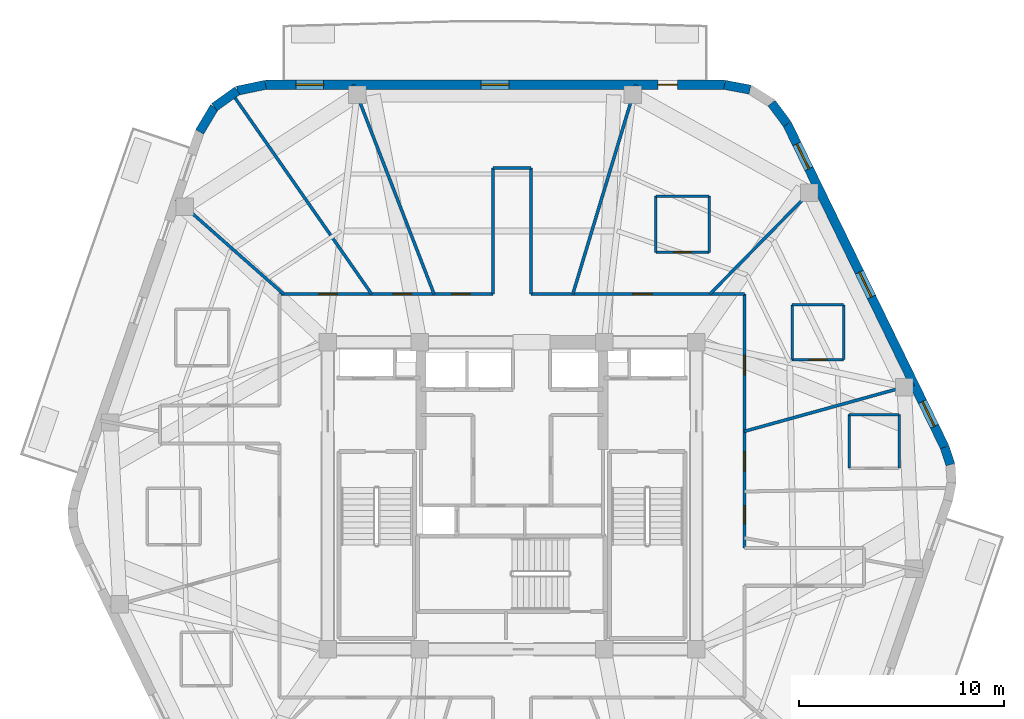
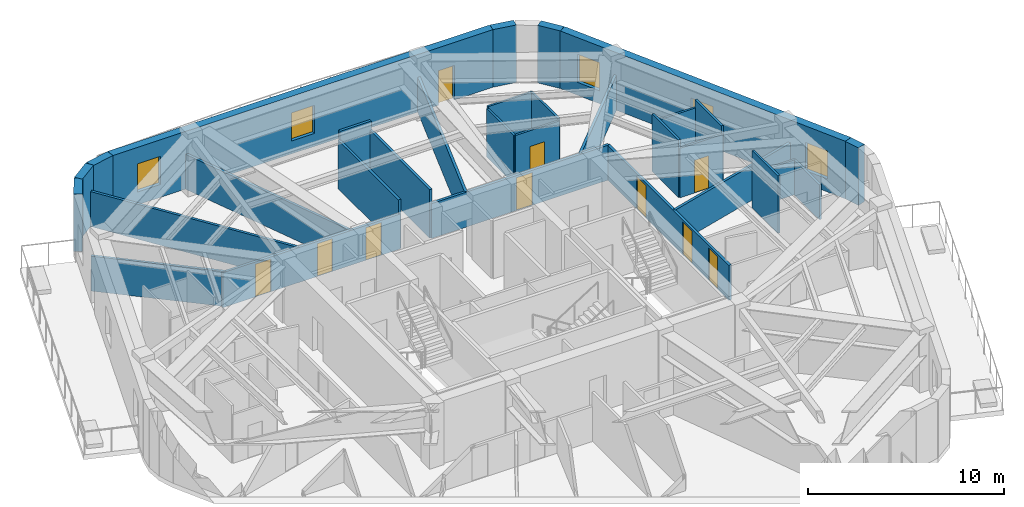
# One storey, part 6 of 9: 31 walls, 10 doors, 5 windows, 15 openings.
"""IFC4 building model written with IfcOpenShell, lengths in metres."""

from ifc_helpers import new_model, si_unit, direction, frame, frame_2d, origin, place, context, subcontext, project, spatial, rectangle, extrude, material, layer, layer_set, type_object, element, fill, save


model = new_model("IFC4")

# Units and contexts
model_context = context("Model", 3, precision=1e-05, world=origin(), true_north=direction((0.0, 1.0)))
body_context = subcontext(model_context, "Body", "Model", "MODEL_VIEW")
ifc_project = project(units=[si_unit("LENGTHUNIT", "METRE"), si_unit("AREAUNIT", "SQUARE_METRE"), si_unit("VOLUMEUNIT", "CUBIC_METRE"), si_unit("PLANEANGLEUNIT", "RADIAN"), si_unit("MASSUNIT", "GRAM", prefix="KILO")], contexts=[model_context])

# Site, building, storey
site_placement = place(None, origin())
site = spatial("IfcSite", under=ifc_project, at=site_placement, CompositionType="ELEMENT")
building_placement = place(site_placement, origin())
building = spatial("IfcBuilding", under=site, at=building_placement, Name="Kilnhurst Terrace Hotel", CompositionType="ELEMENT")
storey_placement = place(building_placement, frame((0.0, 0.0, 301.5)))
storey = spatial("IfcBuildingStorey", under=building, at=storey_placement, Name="L75", CompositionType="ELEMENT", Elevation=301.5)

# Walls
ifc_material_1 = material(Name="Precast concrete C40/50", Category="concrete")
ifc_layer_1 = layer(ifc_material_1, 0.449951171875, Name="Precast concrete C40/50")
ifc_layer_set_1 = layer_set([ifc_layer_1], Name="Precast concrete C40/50")
wall_type_1 = type_object("IfcWallType", Name="WL-BRK-450", PredefinedType="SOLIDWALL", material=ifc_layer_set_1)
wall_1_placement = place(storey_placement, frame((21.422119140625, 1.52197265625, 0.0), z_axis=(0.0, 0.0, 1.0), x_axis=(-0.316964162323, 0.94843751497, 0.0)))
element("IfcWall", 1, at=wall_1_placement, inside=storey, type_object=wall_type_1, Name="L75 Rounded Corner Brick Wall C3.3", PredefinedType="SOLIDWALL", context=body_context, shape_type="SweptSolid", body=[
    extrude(rectangle(XDim=0.89501953125, YDim=0.449951171875, at=frame_2d((0.447509765625, 0.0))), origin(), (0.0, 0.0, 1.0), 3.580078125),
])
wall_2_placement = place(storey_placement, frame((13.44287109375, 18.159912109375, 0.0), z_axis=(0.0, 0.0, 1.0), x_axis=(-0.597042425808, 0.802209661987, 0.0)))
element("IfcWall", 2, at=wall_2_placement, inside=storey, type_object=wall_type_1, Name="L75 Rounded Corner Brick Wall C4.1", PredefinedType="SOLIDWALL", context=body_context, shape_type="SweptSolid", body=[
    extrude(rectangle(XDim=1.269775390625, YDim=0.449951171875, at=frame_2d((0.634765625, 0.0))), origin(), (0.0, 0.0, 1.0), 3.580078125),
])
wall_3_placement = place(storey_placement, frame((11.62646484375, 19.83984375, 0.0), z_axis=(0.0, 0.0, 1.0), x_axis=(-0.982701956681, 0.185194126083, 0.0)))
element("IfcWall", 3, at=wall_3_placement, inside=storey, type_object=wall_type_1, Name="L75 Rounded Corner Brick Wall C4.3", PredefinedType="SOLIDWALL", context=body_context, shape_type="SweptSolid", body=[
    extrude(rectangle(XDim=1.26953125, YDim=0.449951171875, at=frame_2d((0.634765625, 0.0))), origin(), (0.0, 0.0, 1.0), 3.580078125),
])
wall_4_placement = place(storey_placement, frame((-12.038330078125, 20.074951171875, 0.0), z_axis=(0.0, 0.0, 1.0), x_axis=(-0.978750122553, -0.205056571711, 0.0)))
element("IfcWall", 4, at=wall_4_placement, inside=storey, type_object=wall_type_1, Name="L75 Rounded Corner Brick Wall C5.1", PredefinedType="SOLIDWALL", context=body_context, shape_type="SweptSolid", body=[
    extrude(rectangle(XDim=1.406005859375, YDim=0.449951171875, at=frame_2d((0.703125, 0.0))), origin(), (0.0, 0.0, 1.0), 3.580078125),
])
wall_5_placement = place(storey_placement, frame((-13.41455078125, 19.78662109375, 0.0), z_axis=(0.0, 0.0, 1.0), x_axis=(-0.814055493997, -0.580787097561, 0.0)))
element("IfcWall", 5, at=wall_5_placement, inside=storey, type_object=wall_type_1, Name="L75 Rounded Corner Brick Wall C5.2", PredefinedType="SOLIDWALL", context=body_context, shape_type="SweptSolid", body=[
    extrude(rectangle(XDim=1.382568359375, YDim=0.449951171875, at=frame_2d((0.69140625, 0.0))), origin(), (0.0, 0.0, 1.0), 3.580078125),
])
wall_6_placement = place(storey_placement, frame((-14.5400390625, 18.983642578125, 0.0), z_axis=(0.0, 0.0, 1.0), x_axis=(-0.512374906623, -0.858761873317, 0.0)))
element("IfcWall", 6, at=wall_6_placement, inside=storey, type_object=wall_type_1, Name="L75 Rounded Corner Brick Wall C5.3", PredefinedType="SOLIDWALL", context=body_context, shape_type="SweptSolid", body=[
    extrude(rectangle(XDim=1.406005859375, YDim=0.449951171875, at=frame_2d((0.703125, 0.0))), origin(), (0.0, 0.0, 1.0), 3.580078125),
])

# Wall, openings, windows
wall_7_placement = place(storey_placement, frame((21.138427734375, 2.370849609375, 0.0), z_axis=(0.0, 0.0, 1.0), x_axis=(-0.438128124058, 0.89891253574, 0.0)))
wall_7 = element("IfcWall", 7, at=wall_7_placement, inside=storey, type_object=wall_type_1, Name="L75 Exterior Brick Facade Wall F3", PredefinedType="SOLIDWALL", context=body_context, shape_type="SweptSolid", body=[
    extrude(rectangle(XDim=17.564697265625, YDim=0.449951171875, at=frame_2d((8.7822265625, 0.0))), origin(), (0.0, 0.0, 1.0), 3.580078125),
])
opening_1_placement = place(wall_7_placement, frame((1.133056640625, 0.0, 0.800048828125)))
opening_1 = element("IfcOpeningElement", 8, at=opening_1_placement, cuts=wall_7, Name="Opening W-06", PredefinedType="OPENING", context=body_context, shape_type="SweptSolid", body=[
    extrude(rectangle(XDim=1.35009765625, YDim=1.75, at=frame_2d((0.675048828125, 0.875))), frame((0.0, 0.23486328125, 0.0), z_axis=(0.0, -1.0, 0.0), x_axis=(1.0, 0.0, 0.0)), (0.0, 0.0, 1.0), 0.469970703125),
])
opening_2_placement = place(wall_7_placement, frame((8.157958984375, 0.0, 0.800048828125)))
opening_2 = element("IfcOpeningElement", 9, at=opening_2_placement, cuts=wall_7, Name="Opening W-06", PredefinedType="OPENING", context=body_context, shape_type="SweptSolid", body=[
    extrude(rectangle(XDim=1.35009765625, YDim=1.75, at=frame_2d((0.675048828125, 0.875))), frame((0.0, 0.23486328125, 0.0), z_axis=(0.0, -1.0, 0.0), x_axis=(1.0, 0.0, 0.0)), (0.0, 0.0, 1.0), 0.469970703125),
])
opening_3_placement = place(wall_7_placement, frame((15.132080078125, 0.0, 0.800048828125)))
opening_3 = element("IfcOpeningElement", 10, at=opening_3_placement, cuts=wall_7, Name="Opening W-06", PredefinedType="OPENING", context=body_context, shape_type="SweptSolid", body=[
    extrude(rectangle(XDim=1.35009765625, YDim=1.75, at=frame_2d((0.675048828125, 0.875))), frame((0.0, 0.23486328125, 0.0), z_axis=(0.0, -1.0, 0.0), x_axis=(1.0, 0.0, 0.0)), (0.0, 0.0, 1.0), 0.469970703125),
])
ifc_material_2 = material(Name="Thermally Broken Bronze Aluminium Alloy 6063-T6 and Low-E Glass", Category="aluminium")
window_type = type_object("IfcWindowType", Name="WIN-1350X1750", PartitioningType="SINGLE_PANEL", PredefinedType="WINDOW", material=ifc_material_2)
window_1_placement = place(opening_1_placement, origin())
window_1 = element("IfcWindow", 11, at=window_1_placement, inside=storey, type_object=window_type, Name="L75 Deep-Set Masonry Window F3.1", OverallHeight=1.75, OverallWidth=1.35009765625, PartitioningType="SINGLE_PANEL", PredefinedType="WINDOW", context=body_context, shape_type="SweptSolid", body=[
    extrude(rectangle(XDim=1.35009765625, YDim=1.75, at=frame_2d((0.675048828125, 0.875))), frame((0.0, 0.030029296875, 0.0), z_axis=(0.0, -1.0, 0.0), x_axis=(1.0, 0.0, 0.0)), (0.0, 0.0, 1.0), 0.06005859375),
])
fill(opening_1, window_1)
window_2_placement = place(opening_2_placement, origin())
window_2 = element("IfcWindow", 12, at=window_2_placement, inside=storey, type_object=window_type, Name="L75 Deep-Set Masonry Window F3.2", OverallHeight=1.75, OverallWidth=1.35009765625, PartitioningType="SINGLE_PANEL", PredefinedType="WINDOW", context=body_context, shape_type="SweptSolid", body=[
    extrude(rectangle(XDim=1.35009765625, YDim=1.75, at=frame_2d((0.675048828125, 0.875))), frame((0.0, 0.030029296875, 0.0), z_axis=(0.0, -1.0, 0.0), x_axis=(1.0, 0.0, 0.0)), (0.0, 0.0, 1.0), 0.06005859375),
])
fill(opening_2, window_2)
window_3_placement = place(opening_3_placement, origin())
window_3 = element("IfcWindow", 13, at=window_3_placement, inside=storey, type_object=window_type, Name="L75 Deep-Set Masonry Window F3.3", OverallHeight=1.75, OverallWidth=1.35009765625, PartitioningType="SINGLE_PANEL", PredefinedType="WINDOW", context=body_context, shape_type="SweptSolid", body=[
    extrude(rectangle(XDim=1.35009765625, YDim=1.75, at=frame_2d((0.675048828125, 0.875))), frame((0.0, 0.030029296875, 0.0), z_axis=(0.0, -1.0, 0.0), x_axis=(1.0, 0.0, 0.0)), (0.0, 0.0, 1.0), 0.06005859375),
])
fill(opening_3, window_3)

# Wall, openings, door, windows
wall_8_placement = place(storey_placement, frame((10.37890625, 20.074951171875, 0.0), z_axis=(0.0, 0.0, 1.0), x_axis=(-1.0, 0.0, 0.0)))
wall_8 = element("IfcWall", 14, at=wall_8_placement, inside=storey, type_object=wall_type_1, Name="L75 Exterior Brick Facade Wall F4", PredefinedType="SOLIDWALL", context=body_context, shape_type="SweptSolid", body=[
    extrude(rectangle(XDim=22.417236328125, YDim=0.449951171875, at=frame_2d((11.20849609375, 0.0))), origin(), (0.0, 0.0, 1.0), 3.580078125),
])
opening_4_placement = place(wall_8_placement, frame((2.302001953125, 0.0, 0.0)))
opening_4 = element("IfcOpeningElement", 15, at=opening_4_placement, cuts=wall_8, Name="Opening BD-950", PredefinedType="OPENING", context=body_context, shape_type="SweptSolid", body=[
    extrude(rectangle(XDim=0.949951171875, YDim=2.14990234375, at=frame_2d((0.47509765625, 1.074951171875))), frame((0.0, 0.23486328125, 0.0), z_axis=(0.0, -1.0, 0.0), x_axis=(1.0, 0.0, 0.0)), (0.0, 0.0, 1.0), 0.469970703125),
])
opening_5_placement = place(wall_8_placement, frame((10.533935546875, 0.0, 0.800048828125)))
opening_5 = element("IfcOpeningElement", 16, at=opening_5_placement, cuts=wall_8, Name="Opening W-06", PredefinedType="OPENING", context=body_context, shape_type="SweptSolid", body=[
    extrude(rectangle(XDim=1.35009765625, YDim=1.75, at=frame_2d((0.675048828125, 0.875))), frame((0.0, 0.23486328125, 0.0), z_axis=(0.0, -1.0, 0.0), x_axis=(1.0, 0.0, 0.0)), (0.0, 0.0, 1.0), 0.469970703125),
])
opening_6_placement = place(wall_8_placement, frame((19.5869140625, 0.0, 0.800048828125)))
opening_6 = element("IfcOpeningElement", 17, at=opening_6_placement, cuts=wall_8, Name="Opening W-06", PredefinedType="OPENING", context=body_context, shape_type="SweptSolid", body=[
    extrude(rectangle(XDim=1.35009765625, YDim=1.75, at=frame_2d((0.675048828125, 0.875))), frame((0.0, 0.23486328125, 0.0), z_axis=(0.0, -1.0, 0.0), x_axis=(1.0, 0.0, 0.0)), (0.0, 0.0, 1.0), 0.469970703125),
])
ifc_material_3 = material(Name="Thermally Broken Bronze Aluminium Alloy 6063-T6 and Laminated Glass", Category="aluminium")
door_type_1 = type_object("IfcDoorType", Name="DR-EXT-BAL-950", OperationType="NOTDEFINED", PredefinedType="DOOR", material=ifc_material_3)
door_1_placement = place(opening_4_placement, origin())
door_1 = element("IfcDoor", 18, at=door_1_placement, inside=storey, type_object=door_type_1, Name="L75 Planted Balcony Door BAL-L2A", OperationType="SINGLE_SWING_RIGHT", OverallHeight=2.14990234375, OverallWidth=0.949951171875, PredefinedType="DOOR", context=body_context, shape_type="SweptSolid", body=[
    extrude(rectangle(XDim=0.949951171875, YDim=2.14990234375, at=frame_2d((0.47509765625, 1.074951171875))), frame((0.0, 0.02490234375, 0.0), z_axis=(0.0, -1.0, 0.0), x_axis=(1.0, 0.0, 0.0)), (0.0, 0.0, 1.0), 0.050048828125),
])
fill(opening_4, door_1)
window_4_placement = place(opening_5_placement, origin())
window_4 = element("IfcWindow", 19, at=window_4_placement, inside=storey, type_object=window_type, Name="L75 Deep-Set Masonry Window F4.1", OverallHeight=1.75, OverallWidth=1.35009765625, PartitioningType="SINGLE_PANEL", PredefinedType="WINDOW", context=body_context, shape_type="SweptSolid", body=[
    extrude(rectangle(XDim=1.35009765625, YDim=1.75, at=frame_2d((0.675048828125, 0.875))), frame((0.0, 0.030029296875, 0.0), z_axis=(0.0, -1.0, 0.0), x_axis=(1.0, 0.0, 0.0)), (0.0, 0.0, 1.0), 0.06005859375),
])
fill(opening_5, window_4)
window_5_placement = place(opening_6_placement, origin())
window_5 = element("IfcWindow", 20, at=window_5_placement, inside=storey, type_object=window_type, Name="L75 Deep-Set Masonry Window F4.2", OverallHeight=1.75, OverallWidth=1.35009765625, PartitioningType="SINGLE_PANEL", PredefinedType="WINDOW", context=body_context, shape_type="SweptSolid", body=[
    extrude(rectangle(XDim=1.35009765625, YDim=1.75, at=frame_2d((0.675048828125, 0.875))), frame((0.0, 0.030029296875, 0.0), z_axis=(0.0, -1.0, 0.0), x_axis=(1.0, 0.0, 0.0)), (0.0, 0.0, 1.0), 0.06005859375),
])
fill(opening_6, window_5)

# Wall, openings, doors
ifc_material_4 = material(Name="Acoustic Double-Gypsum Corridor Partition Assembly")
ifc_layer_2 = layer(ifc_material_4, 0.14990234375, Name="Acoustic Double-Gypsum Corridor Partition Assembly")
ifc_layer_set_2 = layer_set([ifc_layer_2], Name="Acoustic Double-Gypsum Corridor Partition Assembly")
wall_type_2 = type_object("IfcWallType", Name="WL-COR-150", PredefinedType="PARTITIONING", material=ifc_layer_set_2)
wall_9_placement = place(storey_placement, frame((-11.35009765625, 9.85009765625, 0.0), z_axis=(0.0, 0.0, 1.0), x_axis=(1.0, 0.0, 0.0)))
wall_9 = element("IfcWall", 21, at=wall_9_placement, inside=storey, type_object=wall_type_2, Name="L75 Interior Wall WL-L75-COR-06", PredefinedType="PARTITIONING", context=body_context, shape_type="SweptSolid", body=[
    extrude(rectangle(XDim=10.43017578125, YDim=0.14990234375, at=frame_2d((5.215087890625, 0.0))), origin(), (0.0, 0.0, 1.0), 2.169921875),
])
opening_7_placement = place(wall_9_placement, frame((8.406982421875, 0.0, 0.0)))
opening_7 = element("IfcOpeningElement", 22, at=opening_7_placement, cuts=wall_9, Name="Opening D-60C", PredefinedType="OPENING", context=body_context, shape_type="SweptSolid", body=[
    extrude(rectangle(XDim=0.89990234375, YDim=2.030029296875, at=frame_2d((0.449951171875, 1.01513671875))), frame((0.0, 0.0849609375, 0.0), z_axis=(0.0, -1.0, 0.0), x_axis=(1.0, 0.0, 0.0)), (0.0, 0.0, 1.0), 0.169921875),
])
opening_8_placement = place(wall_9_placement, frame((5.541015625, 0.0, 0.0)))
opening_8 = element("IfcOpeningElement", 23, at=opening_8_placement, cuts=wall_9, Name="Opening D-60C", PredefinedType="OPENING", context=body_context, shape_type="SweptSolid", body=[
    extrude(rectangle(XDim=0.89990234375, YDim=2.030029296875, at=frame_2d((0.449951171875, 1.01513671875))), frame((0.0, 0.0849609375, 0.0), z_axis=(0.0, -1.0, 0.0), x_axis=(1.0, 0.0, 0.0)), (0.0, 0.0, 1.0), 0.169921875),
])
opening_9_placement = place(wall_9_placement, frame((1.916015625, 0.0, 0.0)))
opening_9 = element("IfcOpeningElement", 24, at=opening_9_placement, cuts=wall_9, Name="Opening D-60C", PredefinedType="OPENING", context=body_context, shape_type="SweptSolid", body=[
    extrude(rectangle(XDim=0.89990234375, YDim=2.030029296875, at=frame_2d((0.449951171875, 1.01513671875))), frame((0.0, 0.0849609375, 0.0), z_axis=(0.0, -1.0, 0.0), x_axis=(1.0, 0.0, 0.0)), (0.0, 0.0, 1.0), 0.169921875),
])
ifc_material_5 = material(Name="Painted Solid-Core Service Fire Door")
door_type_2 = type_object("IfcDoorType", Name="DR-FD60-900", OperationType="NOTDEFINED", PredefinedType="DOOR", material=ifc_material_5)
door_2_placement = place(opening_7_placement, origin())
door_2 = element("IfcDoor", 25, at=door_2_placement, inside=storey, type_object=door_type_2, Name="L75 Executive Work Office Door 4", OperationType="SINGLE_SWING_RIGHT", OverallHeight=2.030029296875, OverallWidth=0.89990234375, PredefinedType="DOOR", context=body_context, shape_type="SweptSolid", body=[
    extrude(rectangle(XDim=0.89990234375, YDim=2.030029296875, at=frame_2d((0.449951171875, 1.01513671875))), frame((0.0, 0.02490234375, 0.0), z_axis=(0.0, -1.0, 0.0), x_axis=(1.0, 0.0, 0.0)), (0.0, 0.0, 1.0), 0.050048828125),
])
fill(opening_7, door_2)
door_3_placement = place(opening_8_placement, origin())
door_3 = element("IfcDoor", 26, at=door_3_placement, inside=storey, type_object=door_type_2, Name="L75 Executive Work Office Door 5", OperationType="SINGLE_SWING_LEFT", OverallHeight=2.030029296875, OverallWidth=0.89990234375, PredefinedType="DOOR", context=body_context, shape_type="SweptSolid", body=[
    extrude(rectangle(XDim=0.89990234375, YDim=2.030029296875, at=frame_2d((0.449951171875, 1.01513671875))), frame((0.0, 0.02490234375, 0.0), z_axis=(0.0, -1.0, 0.0), x_axis=(1.0, 0.0, 0.0)), (0.0, 0.0, 1.0), 0.050048828125),
])
fill(opening_8, door_3)
door_4_placement = place(opening_9_placement, origin())
door_4 = element("IfcDoor", 27, at=door_4_placement, inside=storey, type_object=door_type_2, Name="L75 Botanical Reading Lounge Door 6", OperationType="SINGLE_SWING_RIGHT", OverallHeight=2.030029296875, OverallWidth=0.89990234375, PredefinedType="DOOR", context=body_context, shape_type="SweptSolid", body=[
    extrude(rectangle(XDim=0.89990234375, YDim=2.030029296875, at=frame_2d((0.449951171875, 1.01513671875))), frame((0.0, 0.02490234375, 0.0), z_axis=(0.0, -1.0, 0.0), x_axis=(1.0, 0.0, 0.0)), (0.0, 0.0, 1.0), 0.050048828125),
])
fill(opening_9, door_4)

# Walls
wall_10_placement = place(storey_placement, frame((-0.919921875, 9.85009765625, 0.0), z_axis=(0.0, 0.0, 1.0), x_axis=(0.0, 1.0, 0.0)))
element("IfcWall", 28, at=wall_10_placement, inside=storey, type_object=wall_type_2, Name="L75 Interior Wall WL-L75-COR-07", PredefinedType="PARTITIONING", context=body_context, shape_type="SweptSolid", body=[
    extrude(rectangle(XDim=6.14990234375, YDim=0.14990234375, at=frame_2d((3.074951171875, 0.0))), origin(), (0.0, 0.0, 1.0), 3.0205078125),
])
wall_11_placement = place(storey_placement, frame((-0.919921875, 16.0, 0.0), z_axis=(0.0, 0.0, 1.0), x_axis=(1.0, 0.0, 0.0)))
element("IfcWall", 29, at=wall_11_placement, inside=storey, type_object=wall_type_2, Name="L75 Interior Wall WL-L75-COR-08", PredefinedType="PARTITIONING", context=body_context, shape_type="SweptSolid", body=[
    extrude(rectangle(XDim=1.83984375, YDim=0.14990234375, at=frame_2d((0.919921875, 0.0))), origin(), (0.0, 0.0, 1.0), 3.580078125),
])
wall_12_placement = place(storey_placement, frame((0.919921875, 16.0, 0.0), z_axis=(0.0, 0.0, 1.0), x_axis=(0.0, -1.0, 0.0)))
element("IfcWall", 30, at=wall_12_placement, inside=storey, type_object=wall_type_2, Name="L75 Interior Wall WL-L75-COR-09", PredefinedType="PARTITIONING", context=body_context, shape_type="SweptSolid", body=[
    extrude(rectangle(XDim=6.14990234375, YDim=0.14990234375, at=frame_2d((3.074951171875, 0.0))), origin(), (0.0, 0.0, 1.0), 3.0205078125),
])

# Wall, opening, door
wall_13_placement = place(storey_placement, frame((0.919921875, 9.85009765625, 0.0), z_axis=(0.0, 0.0, 1.0), x_axis=(1.0, 0.0, 0.0)))
wall_13 = element("IfcWall", 31, at=wall_13_placement, inside=storey, type_object=wall_type_2, Name="L75 Interior Wall WL-L75-COR-10", PredefinedType="PARTITIONING", context=body_context, shape_type="SweptSolid", body=[
    extrude(rectangle(XDim=10.43017578125, YDim=0.14990234375, at=frame_2d((5.215087890625, 0.0))), origin(), (0.0, 0.0, 1.0), 2.169921875),
])
opening_10_placement = place(wall_13_placement, frame((4.97509765625, 0.0, 0.0)))
opening_10 = element("IfcOpeningElement", 32, at=opening_10_placement, cuts=wall_13, Name="Opening D-60B", PredefinedType="OPENING", context=body_context, shape_type="SweptSolid", body=[
    extrude(rectangle(XDim=0.949951171875, YDim=2.030029296875, at=frame_2d((0.47509765625, 1.01513671875))), frame((0.0, 0.0849609375, 0.0), z_axis=(0.0, -1.0, 0.0), x_axis=(1.0, 0.0, 0.0)), (0.0, 0.0, 1.0), 0.169921875),
])
ifc_material_6 = material(Name="Acoustic Walnut Veneer Solid-Core Fire Door")
door_type_3 = type_object("IfcDoorType", Name="DR-FD60-950", OperationType="NOTDEFINED", PredefinedType="DOOR", material=ifc_material_6)
door_5_placement = place(opening_10_placement, origin())
door_5 = element("IfcDoor", 33, at=door_5_placement, inside=storey, type_object=door_type_3, Name="L75 Executive Suite Entry Door 3", OperationType="SINGLE_SWING_LEFT", OverallHeight=2.030029296875, OverallWidth=0.949951171875, PredefinedType="DOOR", context=body_context, shape_type="SweptSolid", body=[
    extrude(rectangle(XDim=0.949951171875, YDim=2.030029296875, at=frame_2d((0.47509765625, 1.01513671875))), frame((0.0, 0.02490234375, 0.0), z_axis=(0.0, -1.0, 0.0), x_axis=(1.0, 0.0, 0.0)), (0.0, 0.0, 1.0), 0.050048828125),
])
fill(opening_10, door_5)

# Wall, openings, doors
wall_14_placement = place(storey_placement, frame((11.35009765625, 9.85009765625, 0.0), z_axis=(0.0, 0.0, 1.0), x_axis=(0.0, -1.0, 0.0)))
wall_14 = element("IfcWall", 34, at=wall_14_placement, inside=storey, type_object=wall_type_2, Name="L75 Interior Wall WL-L75-COR-11", PredefinedType="PARTITIONING", context=body_context, shape_type="SweptSolid", body=[
    extrude(rectangle(XDim=12.400146484375, YDim=0.14990234375, at=frame_2d((6.2001953125, 0.0))), origin(), (0.0, 0.0, 1.0), 2.169921875),
])
opening_11_placement = place(wall_14_placement, frame((7.697021484375, 0.0, 0.0)))
opening_11 = element("IfcOpeningElement", 35, at=opening_11_placement, cuts=wall_14, Name="Opening D-60B", PredefinedType="OPENING", context=body_context, shape_type="SweptSolid", body=[
    extrude(rectangle(XDim=0.949951171875, YDim=2.030029296875, at=frame_2d((0.47509765625, 1.01513671875))), frame((0.0, 0.0849609375, 0.0), z_axis=(0.0, -1.0, 0.0), x_axis=(1.0, 0.0, 0.0)), (0.0, 0.0, 1.0), 0.169921875),
])
opening_12_placement = place(wall_14_placement, frame((2.998046875, 0.0, 0.0)))
opening_12 = element("IfcOpeningElement", 36, at=opening_12_placement, cuts=wall_14, Name="Opening D-60B", PredefinedType="OPENING", context=body_context, shape_type="SweptSolid", body=[
    extrude(rectangle(XDim=0.949951171875, YDim=2.030029296875, at=frame_2d((0.47509765625, 1.01513671875))), frame((0.0, 0.0849609375, 0.0), z_axis=(0.0, -1.0, 0.0), x_axis=(1.0, 0.0, 0.0)), (0.0, 0.0, 1.0), 0.169921875),
])
opening_13_placement = place(wall_14_placement, frame((10.3330078125, 0.0, 0.0)))
opening_13 = element("IfcOpeningElement", 37, at=opening_13_placement, cuts=wall_14, Name="Opening D-60C", PredefinedType="OPENING", context=body_context, shape_type="SweptSolid", body=[
    extrude(rectangle(XDim=0.89990234375, YDim=2.030029296875, at=frame_2d((0.449951171875, 1.01513671875))), frame((0.0, 0.0849609375, 0.0), z_axis=(0.0, -1.0, 0.0), x_axis=(1.0, 0.0, 0.0)), (0.0, 0.0, 1.0), 0.169921875),
])
door_6_placement = place(opening_13_placement, origin())
door_6 = element("IfcDoor", 38, at=door_6_placement, inside=storey, type_object=door_type_2, Name="L75 Private Tasting Dining Room Door 15", OperationType="SINGLE_SWING_LEFT", OverallHeight=2.030029296875, OverallWidth=0.89990234375, PredefinedType="DOOR", context=body_context, shape_type="SweptSolid", body=[
    extrude(rectangle(XDim=0.89990234375, YDim=2.030029296875, at=frame_2d((0.449951171875, 1.01513671875))), frame((0.0, 0.02490234375, 0.0), z_axis=(0.0, -1.0, 0.0), x_axis=(1.0, 0.0, 0.0)), (0.0, 0.0, 1.0), 0.050048828125),
])
fill(opening_13, door_6)
door_7_placement = place(opening_11_placement, origin())
door_7 = element("IfcDoor", 39, at=door_7_placement, inside=storey, type_object=door_type_3, Name="L75 Guest Room Entry Door 1", OperationType="SINGLE_SWING_LEFT", OverallHeight=2.030029296875, OverallWidth=0.949951171875, PredefinedType="DOOR", context=body_context, shape_type="SweptSolid", body=[
    extrude(rectangle(XDim=0.949951171875, YDim=2.030029296875, at=frame_2d((0.47509765625, 1.01513671875))), frame((0.0, 0.02490234375, 0.0), z_axis=(0.0, -1.0, 0.0), x_axis=(1.0, 0.0, 0.0)), (0.0, 0.0, 1.0), 0.050048828125),
])
fill(opening_11, door_7)
door_8_placement = place(opening_12_placement, origin())
door_8 = element("IfcDoor", 40, at=door_8_placement, inside=storey, type_object=door_type_3, Name="L75 Executive Suite Entry Door 2", OperationType="SINGLE_SWING_RIGHT", OverallHeight=2.030029296875, OverallWidth=0.949951171875, PredefinedType="DOOR", context=body_context, shape_type="SweptSolid", body=[
    extrude(rectangle(XDim=0.949951171875, YDim=2.030029296875, at=frame_2d((0.47509765625, 1.01513671875))), frame((0.0, 0.02490234375, 0.0), z_axis=(0.0, -1.0, 0.0), x_axis=(1.0, 0.0, 0.0)), (0.0, 0.0, 1.0), 0.050048828125),
])
fill(opening_12, door_8)

# Walls
ifc_material_7 = material(Name="STC-58 Acoustic Twin-Frame Guestroom Demising Partition")
ifc_layer_3 = layer(ifc_material_7, 0.14990234375, Name="STC-58 Acoustic Twin-Frame Guestroom Demising Partition")
ifc_layer_set_3 = layer_set([ifc_layer_3], Name="STC-58 Acoustic Twin-Frame Guestroom Demising Partition")
wall_type_3 = type_object("IfcWallType", Name="WL-DEM-150", PredefinedType="PARTITIONING", material=ifc_layer_set_3)
wall_15_placement = place(storey_placement, frame((11.35009765625, 3.142822265625, 0.0), z_axis=(0.0, 0.0, 1.0), x_axis=(0.963731818141, 0.266872596386, 0.0)))
element("IfcWall", 41, at=wall_15_placement, inside=storey, type_object=wall_type_3, Name="L75 Interior Wall WL-L75-DEM-COL01-02-1", PredefinedType="PARTITIONING", context=body_context, shape_type="SweptSolid", body=[
    extrude(rectangle(XDim=8.604736328125, YDim=0.14990234375, at=frame_2d((4.30224609375, 0.0))), origin(), (0.0, 0.0, 1.0), 2.169921875),
])
wall_16_placement = place(storey_placement, frame((9.67236328125, 9.85009765625, 0.0), z_axis=(0.0, 0.0, 1.0), x_axis=(0.700629771301, 0.713524998558, 0.0)))
element("IfcWall", 42, at=wall_16_placement, inside=storey, type_object=wall_type_3, Name="L75 Interior Wall WL-L75-DEM-COL02-03-1", PredefinedType="PARTITIONING", context=body_context, shape_type="SweptSolid", body=[
    extrude(rectangle(XDim=7.45947265625, YDim=0.14990234375, at=frame_2d((3.729736328125, 0.0))), origin(), (0.0, 0.0, 1.0), 2.169921875),
])
wall_17_placement = place(storey_placement, frame((2.97216796875, 9.85009765625, 0.0), z_axis=(0.0, 0.0, 1.0), x_axis=(0.288872169679, 0.957367677324, 0.0)))
element("IfcWall", 43, at=wall_17_placement, inside=storey, type_object=wall_type_3, Name="L75 Interior Wall WL-L75-DEM-COL03-04-1", PredefinedType="PARTITIONING", context=body_context, shape_type="SweptSolid", body=[
    extrude(rectangle(XDim=10.68017578125, YDim=0.14990234375, at=frame_2d((5.340087890625, 0.0))), origin(), (0.0, 0.0, 1.0), 2.169921875),
])
wall_18_placement = place(storey_placement, frame((-3.8076171875, 9.85009765625, 0.0), z_axis=(0.0, 0.0, 1.0), x_axis=(-0.360587327934, 0.932725457427, 0.0)))
element("IfcWall", 44, at=wall_18_placement, inside=storey, type_object=wall_type_3, Name="L75 Interior Wall WL-L75-DEM-COL04-05-1", PredefinedType="PARTITIONING", context=body_context, shape_type="SweptSolid", body=[
    extrude(rectangle(XDim=10.96240234375, YDim=0.14990234375, at=frame_2d((5.481201171875, 0.0))), origin(), (0.0, 0.0, 1.0), 2.169921875),
])
wall_19_placement = place(storey_placement, frame((-6.858154296875, 9.85009765625, 0.0), z_axis=(0.0, 0.0, 1.0), x_axis=(-0.571391702066, 0.820677477948, 0.0)))
element("IfcWall", 45, at=wall_19_placement, inside=storey, type_object=wall_type_3, Name="L75 Interior Wall WL-L75-DEM-MID04-06-1", PredefinedType="PARTITIONING", context=body_context, shape_type="SweptSolid", body=[
    extrude(rectangle(XDim=11.737548828125, YDim=0.14990234375, at=frame_2d((5.86865234375, 0.0))), origin(), (0.0, 0.0, 1.0), 2.169921875),
])
wall_20_placement = place(storey_placement, frame((-11.1572265625, 9.85009765625, 0.0), z_axis=(0.0, 0.0, 1.0), x_axis=(-0.74966962095, 0.661812253909, 0.0)))
element("IfcWall", 46, at=wall_20_placement, inside=storey, type_object=wall_type_3, Name="L75 Interior Wall WL-L75-DEM-COL05-07-1", PredefinedType="PARTITIONING", context=body_context, shape_type="SweptSolid", body=[
    extrude(rectangle(XDim=6.98876953125, YDim=0.14990234375, at=frame_2d((3.494384765625, 0.0))), origin(), (0.0, 0.0, 1.0), 2.169921875),
])
ifc_material_8 = material(Name="120 mm Moisture-Resistant Tile-Backed Bathroom Partition")
ifc_layer_4 = layer(ifc_material_8, 0.1201171875, Name="120 mm Moisture-Resistant Tile-Backed Bathroom Partition")
ifc_layer_set_4 = layer_set([ifc_layer_4], Name="120 mm Moisture-Resistant Tile-Backed Bathroom Partition")
wall_type_4 = type_object("IfcWallType", Name="WL-PART-120", PredefinedType="PARTITIONING", material=ifc_layer_set_4)
wall_21_placement = place(storey_placement, frame((18.910888671875, 1.34912109375, 0.0), z_axis=(0.0, 0.0, 1.0), x_axis=(0.0, 1.0, 0.0)))
element("IfcWall", 47, at=wall_21_placement, inside=storey, type_object=wall_type_4, Name="L75 Interior Wall WL-L75-BTH-01-2", PredefinedType="PARTITIONING", context=body_context, shape_type="SweptSolid", body=[
    extrude(rectangle(XDim=2.60986328125, YDim=0.1201171875, at=frame_2d((1.304931640625, 0.0))), origin(), (0.0, 0.0, 1.0), 2.169921875),
])
wall_22_placement = place(storey_placement, frame((18.910888671875, 3.958984375, 0.0), z_axis=(0.0, 0.0, 1.0), x_axis=(-1.0, 0.0, 0.0)))
element("IfcWall", 48, at=wall_22_placement, inside=storey, type_object=wall_type_4, Name="L75 Interior Wall WL-L75-BTH-01-3", PredefinedType="PARTITIONING", context=body_context, shape_type="SweptSolid", body=[
    extrude(rectangle(XDim=2.43994140625, YDim=0.1201171875, at=frame_2d((1.219970703125, 0.0))), origin(), (0.0, 0.0, 1.0), 2.169921875),
])
wall_23_placement = place(storey_placement, frame((16.470947265625, 3.958984375, 0.0), z_axis=(0.0, 0.0, 1.0), x_axis=(0.0, -1.0, 0.0)))
element("IfcWall", 49, at=wall_23_placement, inside=storey, type_object=wall_type_4, Name="L75 Interior Wall WL-L75-BTH-01-4", PredefinedType="PARTITIONING", context=body_context, shape_type="SweptSolid", body=[
    extrude(rectangle(XDim=2.60986328125, YDim=0.1201171875, at=frame_2d((1.304931640625, 0.0))), origin(), (0.0, 0.0, 1.0), 3.580078125),
])

# Wall, opening, door
wall_24_placement = place(storey_placement, frame((13.68310546875, 6.64208984375, 0.0), z_axis=(0.0, 0.0, 1.0), x_axis=(1.0, 0.0, 0.0)))
wall_24 = element("IfcWall", 50, at=wall_24_placement, inside=storey, type_object=wall_type_4, Name="L75 Interior Wall WL-L75-BTH-02-1", PredefinedType="PARTITIONING", context=body_context, shape_type="SweptSolid", body=[
    extrude(rectangle(XDim=2.519775390625, YDim=0.1201171875, at=frame_2d((1.259765625, 0.0))), origin(), (0.0, 0.0, 1.0), 3.070068359375),
])
opening_14_placement = place(wall_24_placement, frame((0.8349609375, 0.0, 0.0)))
opening_14 = element("IfcOpeningElement", 51, at=opening_14_placement, cuts=wall_24, Name="Opening D-08A", PredefinedType="OPENING", context=body_context, shape_type="SweptSolid", body=[
    extrude(rectangle(XDim=0.85009765625, YDim=2.030029296875, at=frame_2d((0.425048828125, 1.01513671875))), frame((0.0, 0.070068359375, 0.0), z_axis=(0.0, -1.0, 0.0), x_axis=(1.0, 0.0, 0.0)), (0.0, 0.0, 1.0), 0.14013671875),
])
ifc_material_9 = material(Name="Moisture-Resistant Lacquered En-suite Bathroom Door")
door_type_4 = type_object("IfcDoorType", Name="DR-INT-850", OperationType="NOTDEFINED", PredefinedType="DOOR", material=ifc_material_9)
door_9_placement = place(opening_14_placement, origin())
door_9 = element("IfcDoor", 52, at=door_9_placement, inside=storey, type_object=door_type_4, Name="L75 En-suite Bathroom Door 2", OperationType="SINGLE_SWING_LEFT", OverallHeight=2.030029296875, OverallWidth=0.85009765625, PredefinedType="DOOR", context=body_context, shape_type="SweptSolid", body=[
    extrude(rectangle(XDim=0.85009765625, YDim=2.030029296875, at=frame_2d((0.425048828125, 1.01513671875))), frame((0.0, 0.02490234375, 0.0), z_axis=(0.0, -1.0, 0.0), x_axis=(1.0, 0.0, 0.0)), (0.0, 0.0, 1.0), 0.050048828125),
])
fill(opening_14, door_9)

# Walls
wall_25_placement = place(storey_placement, frame((16.202880859375, 6.64208984375, 0.0), z_axis=(0.0, 0.0, 1.0), x_axis=(0.0, 1.0, 0.0)))
element("IfcWall", 53, at=wall_25_placement, inside=storey, type_object=wall_type_4, Name="L75 Interior Wall WL-L75-BTH-02-2", PredefinedType="PARTITIONING", context=body_context, shape_type="SweptSolid", body=[
    extrude(rectangle(XDim=2.679931640625, YDim=0.1201171875, at=frame_2d((1.33984375, 0.0))), origin(), (0.0, 0.0, 1.0), 3.580078125),
])
wall_26_placement = place(storey_placement, frame((16.202880859375, 9.322021484375, 0.0), z_axis=(0.0, 0.0, 1.0), x_axis=(-1.0, 0.0, 0.0)))
element("IfcWall", 54, at=wall_26_placement, inside=storey, type_object=wall_type_4, Name="L75 Interior Wall WL-L75-BTH-02-3", PredefinedType="PARTITIONING", context=body_context, shape_type="SweptSolid", body=[
    extrude(rectangle(XDim=2.519775390625, YDim=0.1201171875, at=frame_2d((1.259765625, 0.0))), origin(), (0.0, 0.0, 1.0), 3.1064453125),
])
wall_27_placement = place(storey_placement, frame((13.68310546875, 9.322021484375, 0.0), z_axis=(0.0, 0.0, 1.0), x_axis=(0.0, -1.0, 0.0)))
element("IfcWall", 55, at=wall_27_placement, inside=storey, type_object=wall_type_4, Name="L75 Interior Wall WL-L75-BTH-02-4", PredefinedType="PARTITIONING", context=body_context, shape_type="SweptSolid", body=[
    extrude(rectangle(XDim=2.679931640625, YDim=0.1201171875, at=frame_2d((1.33984375, 0.0))), origin(), (0.0, 0.0, 1.0), 3.580078125),
])

# Wall, opening, door
wall_28_placement = place(storey_placement, frame((7.02587890625, 11.889892578125, 0.0), z_axis=(0.0, 0.0, 1.0), x_axis=(1.0, 0.0, 0.0)))
wall_28 = element("IfcWall", 56, at=wall_28_placement, inside=storey, type_object=wall_type_4, Name="L75 Interior Wall WL-L75-BTH-03-1", PredefinedType="PARTITIONING", context=body_context, shape_type="SweptSolid", body=[
    extrude(rectangle(XDim=2.60009765625, YDim=0.1201171875, at=frame_2d((1.300048828125, 0.0))), origin(), (0.0, 0.0, 1.0), 3.0205078125),
])
opening_15_placement = place(wall_28_placement, frame((0.875, 0.0, 0.0)))
opening_15 = element("IfcOpeningElement", 57, at=opening_15_placement, cuts=wall_28, Name="Opening D-08A", PredefinedType="OPENING", context=body_context, shape_type="SweptSolid", body=[
    extrude(rectangle(XDim=0.85009765625, YDim=2.030029296875, at=frame_2d((0.425048828125, 1.01513671875))), frame((0.0, 0.070068359375, 0.0), z_axis=(0.0, -1.0, 0.0), x_axis=(1.0, 0.0, 0.0)), (0.0, 0.0, 1.0), 0.14013671875),
])
door_10_placement = place(opening_15_placement, origin())
door_10 = element("IfcDoor", 58, at=door_10_placement, inside=storey, type_object=door_type_4, Name="L75 En-suite Bathroom Door 3", OperationType="SINGLE_SWING_RIGHT", OverallHeight=2.030029296875, OverallWidth=0.85009765625, PredefinedType="DOOR", context=body_context, shape_type="SweptSolid", body=[
    extrude(rectangle(XDim=0.85009765625, YDim=2.030029296875, at=frame_2d((0.425048828125, 1.01513671875))), frame((0.0, 0.02490234375, 0.0), z_axis=(0.0, -1.0, 0.0), x_axis=(1.0, 0.0, 0.0)), (0.0, 0.0, 1.0), 0.050048828125),
])
fill(opening_15, door_10)

# Walls
wall_29_placement = place(storey_placement, frame((9.6259765625, 11.889892578125, 0.0), z_axis=(0.0, 0.0, 1.0), x_axis=(0.0, 1.0, 0.0)))
element("IfcWall", 59, at=wall_29_placement, inside=storey, type_object=wall_type_4, Name="L75 Interior Wall WL-L75-BTH-03-2", PredefinedType="PARTITIONING", context=body_context, shape_type="SweptSolid", body=[
    extrude(rectangle(XDim=2.75, YDim=0.1201171875, at=frame_2d((1.375, 0.0))), origin(), (0.0, 0.0, 1.0), 3.15234375),
])
wall_30_placement = place(storey_placement, frame((9.6259765625, 14.639892578125, 0.0), z_axis=(0.0, 0.0, 1.0), x_axis=(-1.0, 0.0, 0.0)))
element("IfcWall", 60, at=wall_30_placement, inside=storey, type_object=wall_type_4, Name="L75 Interior Wall WL-L75-BTH-03-3", PredefinedType="PARTITIONING", context=body_context, shape_type="SweptSolid", body=[
    extrude(rectangle(XDim=2.60009765625, YDim=0.1201171875, at=frame_2d((1.300048828125, 0.0))), origin(), (0.0, 0.0, 1.0), 3.15234375),
])
wall_31_placement = place(storey_placement, frame((7.02587890625, 14.639892578125, 0.0), z_axis=(0.0, 0.0, 1.0), x_axis=(0.0, -1.0, 0.0)))
element("IfcWall", 61, at=wall_31_placement, inside=storey, type_object=wall_type_4, Name="L75 Interior Wall WL-L75-BTH-03-4", PredefinedType="PARTITIONING", context=body_context, shape_type="SweptSolid", body=[
    extrude(rectangle(XDim=2.75, YDim=0.1201171875, at=frame_2d((1.375, 0.0))), origin(), (0.0, 0.0, 1.0), 3.0205078125),
])

save(model, "model.ifc")
